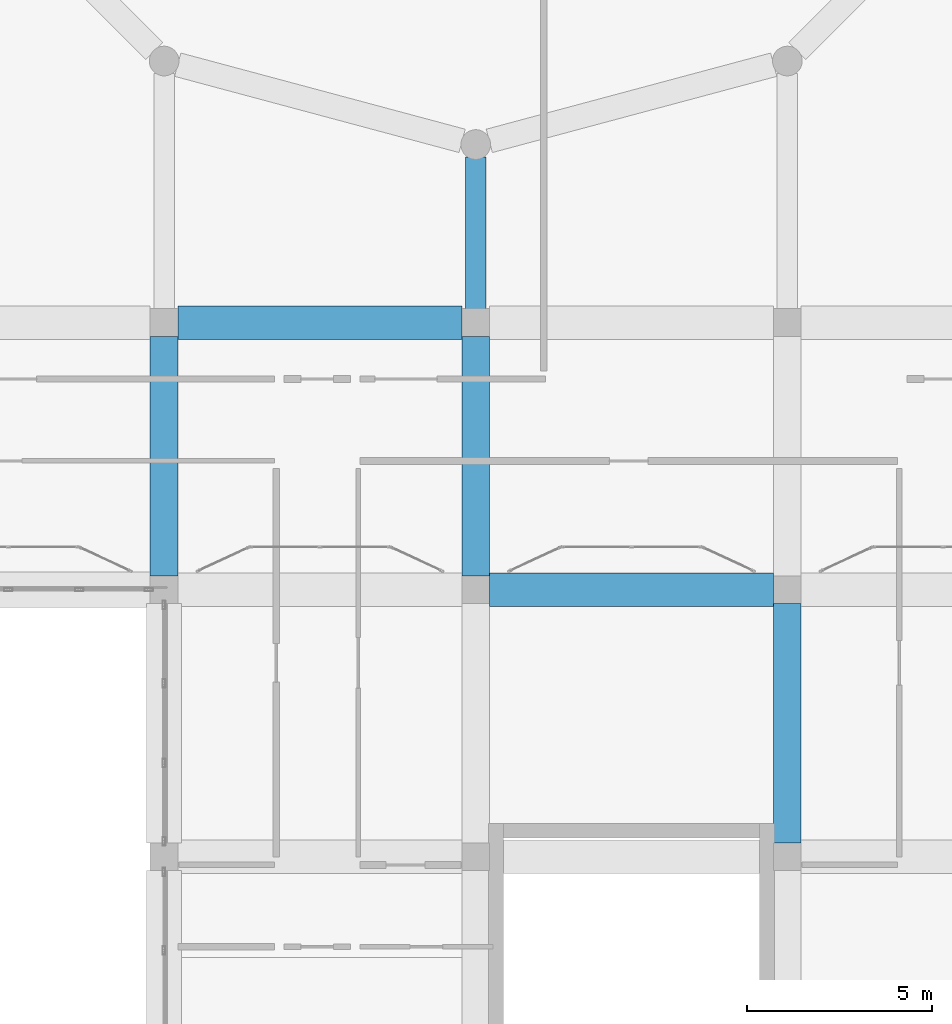
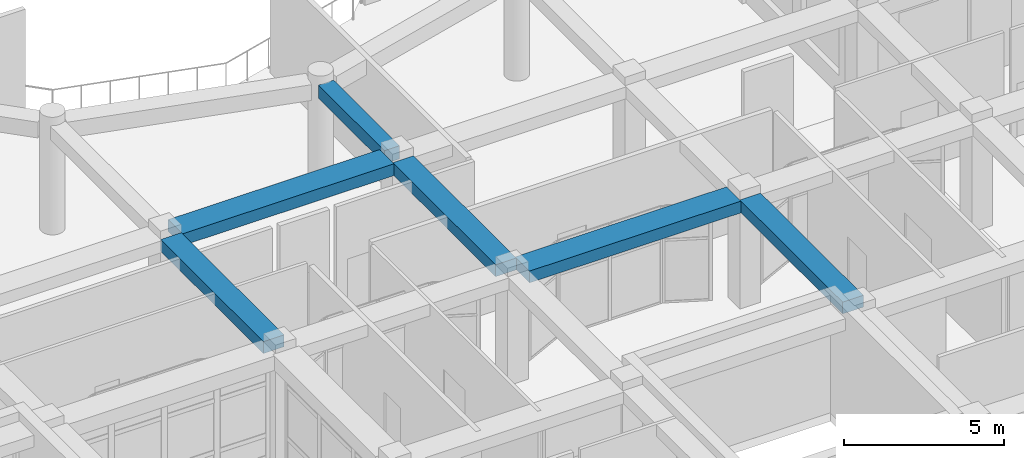
# One storey, part 23 of 121: 6 beams.
"""IFC4 building model written with IfcOpenShell, lengths in metres."""

from ifc_helpers import new_model, si_unit, derived_unit, direction, frame, origin, origin_2d, place, context, subcontext, project, spatial, rectangle, extrude, material, material_profile, profile_set, type_object, element, save


model = new_model("IFC4")

# Units and contexts
model_context = context("Model", 3, precision=1e-05, world=origin(), true_north=direction((0.0, 1.0)))
body_context = subcontext(model_context, "Body", "Model", "MODEL_VIEW")
ifc_project = project(units=[si_unit("LENGTHUNIT", "METRE"), si_unit("AREAUNIT", "SQUARE_METRE"), si_unit("VOLUMEUNIT", "CUBIC_METRE"), si_unit("PLANEANGLEUNIT", "RADIAN"), si_unit("MASSUNIT", "GRAM", prefix="KILO"), derived_unit("THERMALTRANSMITTANCEUNIT", [(si_unit("POWERUNIT", "WATT"), 1), (si_unit("LENGTHUNIT", "METRE"), -2), (si_unit("THERMODYNAMICTEMPERATUREUNIT", "KELVIN"), -1)])], contexts=[model_context])

# Site, building, storey
site_placement = place(None, origin())
site = spatial("IfcSite", under=ifc_project, at=site_placement, CompositionType="ELEMENT")
building_placement = place(site_placement, origin())
building = spatial("IfcBuilding", under=site, at=building_placement, Name="Veybourne Emporium", CompositionType="ELEMENT")
storey_placement = place(building_placement, frame((0.0, 0.0, 5.39990234375)))
storey = spatial("IfcBuildingStorey", under=building, at=storey_placement, Name="L01", CompositionType="ELEMENT", Elevation=5.39990234375)

# Beams
ifc_material = material(Name="Concrete C32/40", Category="concrete")
ifc_material_profile_1 = material_profile(ifc_material, rectangle(XDim=0.89990234375, YDim=0.449951171875, at=origin_2d()), Name="RC 900x450")
ifc_profile_set_1 = profile_set([ifc_material_profile_1], Name="Concrete C32/40")
beam_type_1 = type_object("IfcBeamType", Name="RCBeam_BB-03", PredefinedType="BEAM", material=ifc_profile_set_1)
beam_1_placement = place(storey_placement, frame((67.574951171875, 28.800048828125, 3.955078125), z_axis=(1.0, 0.0, 0.0), x_axis=(0.0, 1.0, 0.0)))
element("IfcBeam", 1, at=beam_1_placement, inside=storey, type_object=beam_type_1, Name="L01 X-grid beam BB-03 (8,4)", PredefinedType="BEAM", context=body_context, shape_type="SweptSolid", body=[
    extrude(rectangle(XDim=0.89990234375, YDim=0.449951171875, at=origin_2d()), origin(), (0.0, 0.0, 1.0), 7.650146484375),
])
beam_2_placement = place(storey_placement, frame((75.97509765625, 21.60009765625, 3.955078125), z_axis=(1.0, 0.0, 0.0), x_axis=(0.0, 1.0, 0.0)))
element("IfcBeam", 2, at=beam_2_placement, inside=storey, type_object=beam_type_1, Name="L01 X-grid beam BB-03 (9,3)", PredefinedType="BEAM", context=body_context, shape_type="SweptSolid", body=[
    extrude(rectangle(XDim=0.89990234375, YDim=0.449951171875, at=origin_2d()), origin(), (0.0, 0.0, 1.0), 7.64990234375),
])
ifc_material_profile_2 = material_profile(ifc_material, rectangle(XDim=0.75, YDim=0.449951171875, at=origin_2d()), Name="RC 750x450")
ifc_profile_set_2 = profile_set([ifc_material_profile_2], Name="Concrete C32/40")
beam_type_2 = type_object("IfcBeamType", Name="RCBeam_BB-04", PredefinedType="BEAM", material=ifc_profile_set_2)
for number, where, z_axis, x_axis, name in (
    (3, (67.199951171875, 21.97509765625, 3.955078125), (0.0, 1.0, 0.0), (-1.0, 0.0, 0.0), "L01 Y-grid beam BB-04 (8,3)"),
    (4, (75.60009765625, 21.97509765625, 3.955078125), (0.0, 1.0, 0.0), (-1.0, 0.0, 0.0), "L01 Y-grid beam BB-04 (9,3)"),
):
    element("IfcBeam", number, at=place(storey_placement, frame(where, z_axis=z_axis, x_axis=x_axis)), inside=storey, type_object=beam_type_2, Name=name, PredefinedType="BEAM", context=body_context, shape_type="SweptSolid", body=[
        extrude(rectangle(XDim=0.75, YDim=0.449951171875, at=origin_2d()), origin(), (0.0, 0.0, 1.0), 6.449951171875),
    ])
beam_3_placement = place(storey_placement, frame((84.0, 14.77490234375, 3.955078125), z_axis=(0.0, 1.0, 0.0), x_axis=(-1.0, 0.0, 0.0)))
element("IfcBeam", 5, at=beam_3_placement, inside=storey, type_object=beam_type_2, Name="L01 Y-grid beam BB-04 (10,2)", PredefinedType="BEAM", context=body_context, shape_type="SweptSolid", body=[
    extrude(rectangle(XDim=0.75, YDim=0.449951171875, at=origin_2d()), origin(), (0.0, 0.0, 1.0), 6.4501953125),
])
ifc_material_profile_3 = material_profile(ifc_material, rectangle(XDim=0.550048828125, YDim=0.5, at=origin_2d()), Name="RC 550x500")
ifc_profile_set_3 = profile_set([ifc_material_profile_3], Name="Concrete C32/40")
beam_type_3 = type_object("IfcBeamType", Name="RCBeam_TB-01", PredefinedType="BEAM", material=ifc_profile_set_3)
beam_4_placement = place(storey_placement, frame((75.60009765625, 33.260009765625, 3.93017578125), z_axis=(0.0, -1.0, 0.0), x_axis=(1.0, 0.0, 0.0)))
element("IfcBeam", 6, at=beam_4_placement, inside=storey, type_object=beam_type_3, Name="Atrium radial tie beam L01-10", PredefinedType="BEAM", context=body_context, shape_type="SweptSolid", body=[
    extrude(rectangle(XDim=0.550048828125, YDim=0.5, at=origin_2d()), origin(), (0.0, 0.0, 1.0), 4.14501953125),
])

save(model, "model.ifc")
